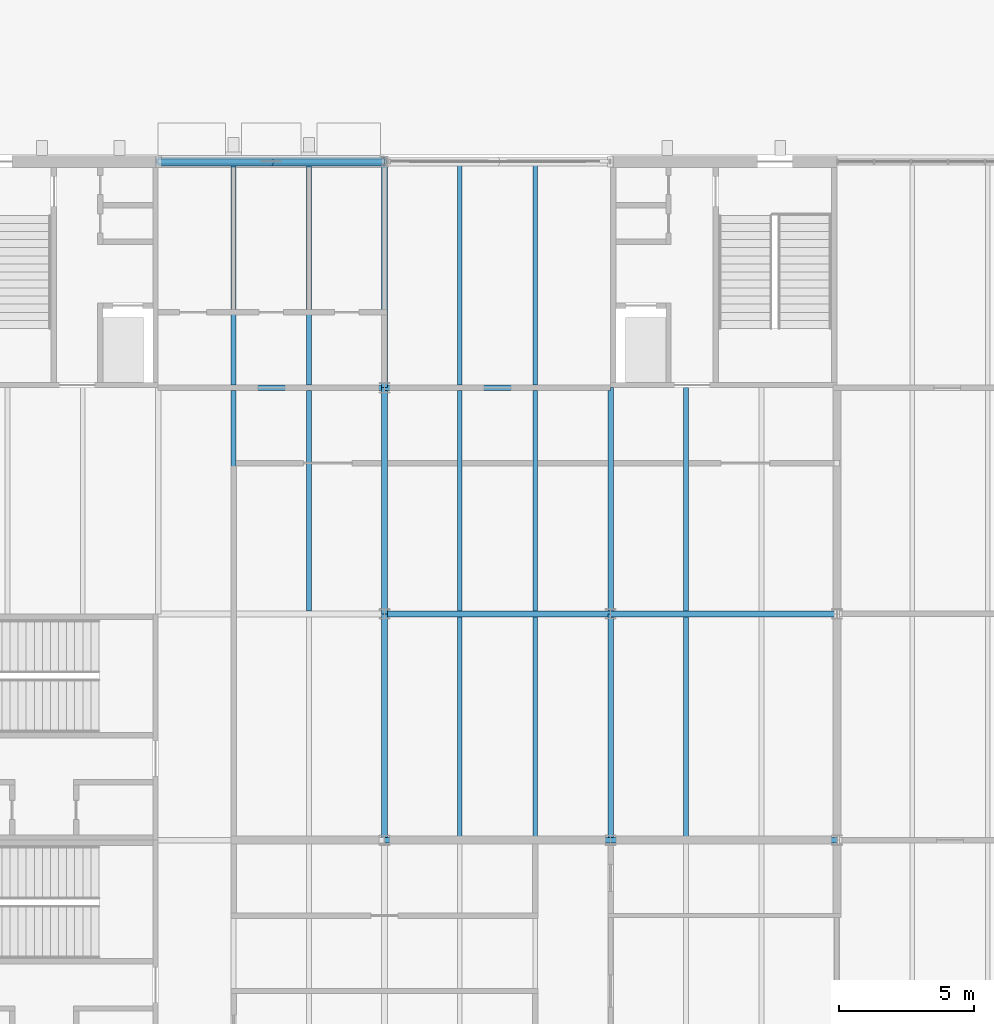
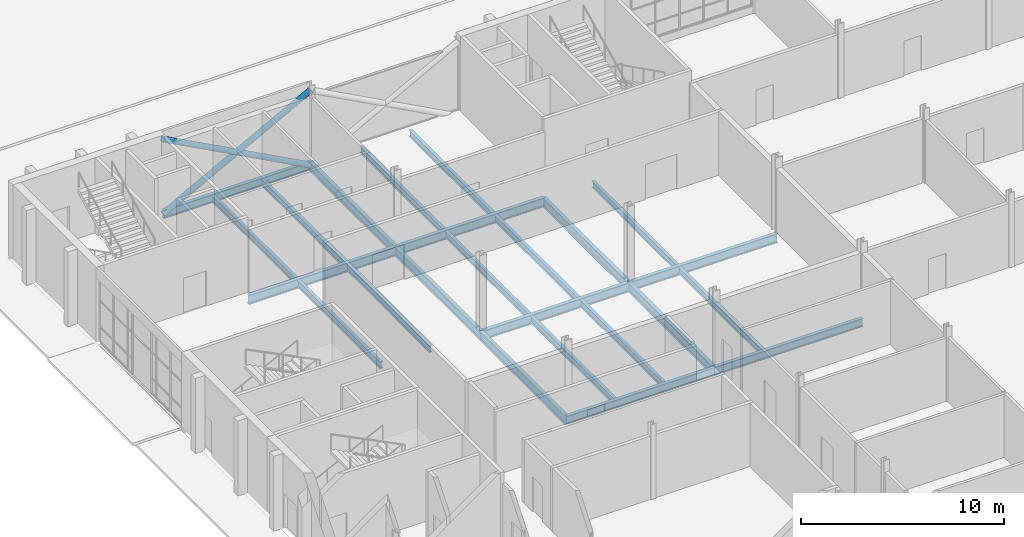
# One storey, part 53 of 116: 24 beams, 3 members.
"""IFC4 building model written with IfcOpenShell, lengths in metres."""

from ifc_helpers import new_model, si_unit, direction, frame, origin, origin_2d, place, context, subcontext, project, spatial, hollow_circle, i_section, extrude, material, material_profile, profile_set, type_object, element, save


model = new_model("IFC4")

# Units and contexts
model_context = context("Model", 3, precision=1e-05, world=origin(), true_north=direction((0.0, 1.0)))
body_context = subcontext(model_context, "Body", "Model", "MODEL_VIEW")
ifc_project = project(units=[si_unit("LENGTHUNIT", "METRE"), si_unit("AREAUNIT", "SQUARE_METRE"), si_unit("VOLUMEUNIT", "CUBIC_METRE"), si_unit("PLANEANGLEUNIT", "RADIAN"), si_unit("MASSUNIT", "GRAM", prefix="KILO")], contexts=[model_context])

# Site, building, storey
site_placement = place(None, origin())
site = spatial("IfcSite", under=ifc_project, at=site_placement, CompositionType="ELEMENT")
building_placement = place(site_placement, origin())
building = spatial("IfcBuilding", under=site, at=building_placement, Name="Ardhachandra Cancer Care Centre", CompositionType="ELEMENT")
storey_placement = place(building_placement, origin())
storey = spatial("IfcBuildingStorey", under=building, at=storey_placement, Name="L00", CompositionType="ELEMENT", Elevation=0.0)

# Beams
ifc_material_1 = material(Name="Steel E350 (IS 2062)", Category="steel")
ifc_material_profile_1 = material_profile(ifc_material_1, i_section(OverallWidth=0.179931640625, OverallDepth=0.39990234375, WebThickness=0.008544921875, FlangeThickness=0.013427734375, FilletRadius=0.02099609375, at=origin_2d()), Name="NPB 400x180x66.30")
ifc_profile_set_1 = profile_set([ifc_material_profile_1], Name="Steel E350 (IS 2062)")
beam_type_1 = type_object("IfcBeamType", Name="Beam NPB 400x180x66.30", PredefinedType="BEAM", material=ifc_profile_set_1)
beam_1_placement = place(storey_placement, frame((22.0, 79.905029296875, -0.35009765625), z_axis=(0.0, 1.0, 0.0), x_axis=(-1.0, 0.0, 0.0)))
element("IfcBeam", 1, at=beam_1_placement, inside=storey, type_object=beam_type_1, Name="Secondary J2-K2@2800", PredefinedType="BEAM", context=body_context, shape_type="SweptSolid", body=[
    extrude(i_section(OverallWidth=0.179931640625, OverallDepth=0.39990234375, WebThickness=0.008544921875, FlangeThickness=0.013427734375, FilletRadius=0.02099609375, at=origin_2d()), origin(), (0.0, 0.0, 1.0), 8.18994140625),
])
beam_2_placement = place(storey_placement, frame((22.0, 88.304931640625, -0.35009765625), z_axis=(0.0, 1.0, 0.0), x_axis=(-1.0, 0.0, 0.0)))
element("IfcBeam", 2, at=beam_2_placement, inside=storey, type_object=beam_type_1, Name="Secondary K2-L2@2800", PredefinedType="BEAM", context=body_context, shape_type="SweptSolid", body=[
    extrude(i_section(OverallWidth=0.179931640625, OverallDepth=0.39990234375, WebThickness=0.008544921875, FlangeThickness=0.013427734375, FilletRadius=0.02099609375, at=origin_2d()), origin(), (0.0, 0.0, 1.0), 8.195068359375),
])
beam_3_placement = place(storey_placement, frame((24.800048828125, 79.905029296875, -0.35009765625), z_axis=(0.0, 1.0, 0.0), x_axis=(-1.0, 0.0, 0.0)))
element("IfcBeam", 3, at=beam_3_placement, inside=storey, type_object=beam_type_1, Name="Secondary J2-K2@5600", PredefinedType="BEAM", context=body_context, shape_type="SweptSolid", body=[
    extrude(i_section(OverallWidth=0.179931640625, OverallDepth=0.39990234375, WebThickness=0.008544921875, FlangeThickness=0.013427734375, FilletRadius=0.02099609375, at=origin_2d()), origin(), (0.0, 0.0, 1.0), 8.18994140625),
])
for number, where, z_axis, x_axis, name in (
    (4, (24.800048828125, 88.304931640625, -0.35009765625), (0.0, 1.0, 0.0), (-1.0, 0.0, 0.0), "Secondary K2-L2@5600"),
    (5, (30.39990234375, 71.5, -0.35009765625), (0.0, 1.0, 0.0), (-1.0, 0.0, 0.0), "Secondary H3-J3@2800"),
):
    element("IfcBeam", number, at=place(storey_placement, frame(where, z_axis=z_axis, x_axis=x_axis)), inside=storey, type_object=beam_type_1, Name=name, PredefinedType="BEAM", context=body_context, shape_type="SweptSolid", body=[
        extrude(i_section(OverallWidth=0.179931640625, OverallDepth=0.39990234375, WebThickness=0.008544921875, FlangeThickness=0.013427734375, FilletRadius=0.02099609375, at=origin_2d()), origin(), (0.0, 0.0, 1.0), 8.195068359375),
    ])
beam_4_placement = place(storey_placement, frame((30.39990234375, 79.905029296875, -0.35009765625), z_axis=(0.0, 1.0, 0.0), x_axis=(-1.0, 0.0, 0.0)))
element("IfcBeam", 6, at=beam_4_placement, inside=storey, type_object=beam_type_1, Name="Secondary J3-K3@2800", PredefinedType="BEAM", context=body_context, shape_type="SweptSolid", body=[
    extrude(i_section(OverallWidth=0.179931640625, OverallDepth=0.39990234375, WebThickness=0.008544921875, FlangeThickness=0.013427734375, FilletRadius=0.02099609375, at=origin_2d()), origin(), (0.0, 0.0, 1.0), 8.18994140625),
])
for number, where, z_axis, x_axis, name in (
    (7, (30.39990234375, 88.304931640625, -0.35009765625), (0.0, 1.0, 0.0), (-1.0, 0.0, 0.0), "Secondary K3-L3@2800"),
    (8, (33.199951171875, 71.5, -0.35009765625), (0.0, 1.0, 0.0), (-1.0, 0.0, 0.0), "Secondary H3-J3@5600"),
):
    element("IfcBeam", number, at=place(storey_placement, frame(where, z_axis=z_axis, x_axis=x_axis)), inside=storey, type_object=beam_type_1, Name=name, PredefinedType="BEAM", context=body_context, shape_type="SweptSolid", body=[
        extrude(i_section(OverallWidth=0.179931640625, OverallDepth=0.39990234375, WebThickness=0.008544921875, FlangeThickness=0.013427734375, FilletRadius=0.02099609375, at=origin_2d()), origin(), (0.0, 0.0, 1.0), 8.195068359375),
    ])
beam_5_placement = place(storey_placement, frame((33.199951171875, 79.905029296875, -0.35009765625), z_axis=(0.0, 1.0, 0.0), x_axis=(-1.0, 0.0, 0.0)))
element("IfcBeam", 9, at=beam_5_placement, inside=storey, type_object=beam_type_1, Name="Secondary J3-K3@5600", PredefinedType="BEAM", context=body_context, shape_type="SweptSolid", body=[
    extrude(i_section(OverallWidth=0.179931640625, OverallDepth=0.39990234375, WebThickness=0.008544921875, FlangeThickness=0.013427734375, FilletRadius=0.02099609375, at=origin_2d()), origin(), (0.0, 0.0, 1.0), 8.18994140625),
])
for number, where, z_axis, x_axis, name in (
    (10, (33.199951171875, 88.304931640625, -0.35009765625), (0.0, 1.0, 0.0), (-1.0, 0.0, 0.0), "Secondary K3-L3@5600"),
    (11, (38.800048828125, 71.5, -0.35009765625), (0.0, 1.0, 0.0), (-1.0, 0.0, 0.0), "Secondary H4-J4@2800"),
):
    element("IfcBeam", number, at=place(storey_placement, frame(where, z_axis=z_axis, x_axis=x_axis)), inside=storey, type_object=beam_type_1, Name=name, PredefinedType="BEAM", context=body_context, shape_type="SweptSolid", body=[
        extrude(i_section(OverallWidth=0.179931640625, OverallDepth=0.39990234375, WebThickness=0.008544921875, FlangeThickness=0.013427734375, FilletRadius=0.02099609375, at=origin_2d()), origin(), (0.0, 0.0, 1.0), 8.195068359375),
    ])
beam_6_placement = place(storey_placement, frame((38.800048828125, 79.905029296875, -0.35009765625), z_axis=(0.0, 1.0, 0.0), x_axis=(-1.0, 0.0, 0.0)))
element("IfcBeam", 12, at=beam_6_placement, inside=storey, type_object=beam_type_1, Name="Secondary J4-K4@2800", PredefinedType="BEAM", context=body_context, shape_type="SweptSolid", body=[
    extrude(i_section(OverallWidth=0.179931640625, OverallDepth=0.39990234375, WebThickness=0.008544921875, FlangeThickness=0.013427734375, FilletRadius=0.02099609375, at=origin_2d()), origin(), (0.0, 0.0, 1.0), 8.294921875),
])
ifc_material_2 = material(Name="Steel E350 (IS 2062)", Category="steel")
ifc_material_profile_2 = material_profile(ifc_material_2, i_section(OverallWidth=0.199951171875, OverallDepth=0.5, WebThickness=0.01025390625, FlangeThickness=0.01611328125, FilletRadius=0.02099609375, at=origin_2d()), Name="NPB 500x200x90.68")
ifc_profile_set_2 = profile_set([ifc_material_profile_2], Name="Steel E350 (IS 2062)")
beam_type_2 = type_object("IfcBeamType", Name="Beam NPB 500x200x90.68", PredefinedType="BEAM", material=ifc_profile_set_2)
for number, where, z_axis, x_axis, name in (
    (13, (27.60009765625, 71.39990234375, -0.39990234375), (1.0, 0.0, 0.0), (0.0, 1.0, 0.0), "Edge girder H3-H4"),
    (14, (36.0, 71.39990234375, -0.39990234375), (1.0, 0.0, 0.0), (0.0, 1.0, 0.0), "Edge girder H4-H5"),
):
    element("IfcBeam", number, at=place(storey_placement, frame(where, z_axis=z_axis, x_axis=x_axis)), inside=storey, type_object=beam_type_2, Name=name, PredefinedType="BEAM", context=body_context, shape_type="SweptSolid", body=[
        extrude(i_section(OverallWidth=0.199951171875, OverallDepth=0.5, WebThickness=0.01025390625, FlangeThickness=0.01611328125, FilletRadius=0.02099609375, at=origin_2d()), origin(), (0.0, 0.0, 1.0), 8.39990234375),
    ])
beam_7_placement = place(storey_placement, frame((19.199951171875, 96.60009765625, -0.39990234375), z_axis=(1.0, 0.0, 0.0), x_axis=(0.0, 1.0, 0.0)))
element("IfcBeam", 15, at=beam_7_placement, inside=storey, type_object=beam_type_2, Name="Edge girder L2-L3", PredefinedType="BEAM", context=body_context, shape_type="SweptSolid", body=[
    extrude(i_section(OverallWidth=0.199951171875, OverallDepth=0.5, WebThickness=0.01025390625, FlangeThickness=0.01611328125, FilletRadius=0.02099609375, at=origin_2d()), origin(), (0.0, 0.0, 1.0), 8.400146484375),
])
ifc_material_3 = material(Name="Steel E350 (IS 2062)", Category="steel")
ifc_material_profile_3 = material_profile(ifc_material_3, i_section(OverallWidth=0.2099609375, OverallDepth=0.550048828125, WebThickness=0.010986328125, FlangeThickness=0.01708984375, FilletRadius=0.02392578125, at=origin_2d()), Name="NPB 550x210x105.52")
ifc_profile_set_3 = profile_set([ifc_material_profile_3], Name="Steel E350 (IS 2062)")
beam_type_3 = type_object("IfcBeamType", Name="Beam NPB 550x210x105.52", PredefinedType="BEAM", material=ifc_profile_set_3)
for number, where, z_axis, x_axis, name in (
    (16, (27.60009765625, 79.800048828125, -0.425048828125), (1.0, 0.0, 0.0), (0.0, 1.0, 0.0), "Girder J3-J4"),
    (17, (36.0, 79.800048828125, -0.425048828125), (1.0, 0.0, 0.0), (0.0, 1.0, 0.0), "Girder J4-J5"),
):
    element("IfcBeam", number, at=place(storey_placement, frame(where, z_axis=z_axis, x_axis=x_axis)), inside=storey, type_object=beam_type_3, Name=name, PredefinedType="BEAM", context=body_context, shape_type="SweptSolid", body=[
        extrude(i_section(OverallWidth=0.2099609375, OverallDepth=0.550048828125, WebThickness=0.010986328125, FlangeThickness=0.01708984375, FilletRadius=0.02392578125, at=origin_2d()), origin(), (0.0, 0.0, 1.0), 8.39990234375),
    ])
beam_8_placement = place(storey_placement, frame((19.199951171875, 88.199951171875, -0.425048828125), z_axis=(1.0, 0.0, 0.0), x_axis=(0.0, 1.0, 0.0)))
element("IfcBeam", 18, at=beam_8_placement, inside=storey, type_object=beam_type_3, Name="Girder K2-K3", PredefinedType="BEAM", context=body_context, shape_type="SweptSolid", body=[
    extrude(i_section(OverallWidth=0.2099609375, OverallDepth=0.550048828125, WebThickness=0.010986328125, FlangeThickness=0.01708984375, FilletRadius=0.02392578125, at=origin_2d()), origin(), (0.0, 0.0, 1.0), 8.400146484375),
])
beam_9_placement = place(storey_placement, frame((27.60009765625, 88.199951171875, -0.425048828125), z_axis=(1.0, 0.0, 0.0), x_axis=(0.0, 1.0, 0.0)))
element("IfcBeam", 19, at=beam_9_placement, inside=storey, type_object=beam_type_3, Name="Girder K3-K4", PredefinedType="BEAM", context=body_context, shape_type="SweptSolid", body=[
    extrude(i_section(OverallWidth=0.2099609375, OverallDepth=0.550048828125, WebThickness=0.010986328125, FlangeThickness=0.01708984375, FilletRadius=0.02392578125, at=origin_2d()), origin(), (0.0, 0.0, 1.0), 8.39990234375),
])
beam_10_placement = place(storey_placement, frame((27.60009765625, 71.39990234375, -0.425048828125), z_axis=(0.0, 1.0, 0.0), x_axis=(-1.0, 0.0, 0.0)))
element("IfcBeam", 20, at=beam_10_placement, inside=storey, type_object=beam_type_3, Name="Girder H3-J3", PredefinedType="BEAM", context=body_context, shape_type="SweptSolid", body=[
    extrude(i_section(OverallWidth=0.2099609375, OverallDepth=0.550048828125, WebThickness=0.010986328125, FlangeThickness=0.01708984375, FilletRadius=0.02392578125, at=origin_2d()), origin(), (0.0, 0.0, 1.0), 8.400146484375),
])
beam_11_placement = place(storey_placement, frame((27.60009765625, 79.800048828125, -0.425048828125), z_axis=(0.0, 1.0, 0.0), x_axis=(-1.0, 0.0, 0.0)))
element("IfcBeam", 21, at=beam_11_placement, inside=storey, type_object=beam_type_3, Name="Girder J3-K3", PredefinedType="BEAM", context=body_context, shape_type="SweptSolid", body=[
    extrude(i_section(OverallWidth=0.2099609375, OverallDepth=0.550048828125, WebThickness=0.010986328125, FlangeThickness=0.01708984375, FilletRadius=0.02392578125, at=origin_2d()), origin(), (0.0, 0.0, 1.0), 8.39990234375),
])
for number, where, z_axis, x_axis, name in (
    (22, (27.60009765625, 88.199951171875, -0.425048828125), (0.0, 1.0, 0.0), (-1.0, 0.0, 0.0), "Girder K3-L3"),
    (23, (36.0, 71.39990234375, -0.425048828125), (0.0, 1.0, 0.0), (-1.0, 0.0, 0.0), "Girder H4-J4"),
):
    element("IfcBeam", number, at=place(storey_placement, frame(where, z_axis=z_axis, x_axis=x_axis)), inside=storey, type_object=beam_type_3, Name=name, PredefinedType="BEAM", context=body_context, shape_type="SweptSolid", body=[
        extrude(i_section(OverallWidth=0.2099609375, OverallDepth=0.550048828125, WebThickness=0.010986328125, FlangeThickness=0.01708984375, FilletRadius=0.02392578125, at=origin_2d()), origin(), (0.0, 0.0, 1.0), 8.400146484375),
    ])
beam_12_placement = place(storey_placement, frame((36.0, 79.800048828125, -0.425048828125), z_axis=(0.0, 1.0, 0.0), x_axis=(-1.0, 0.0, 0.0)))
element("IfcBeam", 24, at=beam_12_placement, inside=storey, type_object=beam_type_3, Name="Girder J4-K4", PredefinedType="BEAM", context=body_context, shape_type="SweptSolid", body=[
    extrude(i_section(OverallWidth=0.2099609375, OverallDepth=0.550048828125, WebThickness=0.010986328125, FlangeThickness=0.01708984375, FilletRadius=0.02392578125, at=origin_2d()), origin(), (0.0, 0.0, 1.0), 8.39990234375),
])

# Members
ifc_material_4 = material(Name="Steel E350 (IS 2062)", Category="steel")
ifc_material_profile_4 = material_profile(ifc_material_4, hollow_circle(Radius=0.161865234375, WallThickness=0.012451171875, at=origin_2d()), Name="CHS 323.9x12.5")
ifc_profile_set_4 = profile_set([ifc_material_profile_4], Name="Steel E350 (IS 2062)")
member_type = type_object("IfcMemberType", Name="Brace CHS 323.9x12.5", PredefinedType="BRACE", material=ifc_profile_set_4)
member_1_placement = place(storey_placement, frame((19.199951171875, 96.60009765625, -0.39990234375), z_axis=(0.881483397762, 0.0, 0.472215014025), x_axis=(0.0, 1.0, 0.0)))
element("IfcMember", 25, at=member_1_placement, inside=storey, type_object=member_type, Name="Brace V6-X966-192 L00 A", PredefinedType="BRACE", context=body_context, shape_type="SweptSolid", body=[
    extrude(hollow_circle(Radius=0.161865234375, WallThickness=0.012451171875, at=origin_2d()), origin(), (0.0, 0.0, 1.0), 9.529541015625),
])
member_2_placement = place(storey_placement, frame((27.60009765625, 96.60009765625, -0.39990234375), z_axis=(-0.881489110341, 0.0, 0.472204350203), x_axis=(0.0, -1.0, 0.0)))
element("IfcMember", 26, at=member_2_placement, inside=storey, type_object=member_type, Name="Brace V6-X966-192 L00 B1", PredefinedType="BRACE", context=body_context, shape_type="SweptSolid", body=[
    extrude(hollow_circle(Radius=0.161865234375, WallThickness=0.012451171875, at=origin_2d()), origin(), (0.0, 0.0, 1.0), 4.764892578125),
])
member_3_placement = place(storey_placement, frame((23.39990234375, 96.60009765625, 1.85009765625), z_axis=(-0.881477684796, 0.0, 0.472225678258), x_axis=(0.0, -1.0, 0.0)))
element("IfcMember", 27, at=member_3_placement, inside=storey, type_object=member_type, Name="Brace V6-X966-192 L00 B2", PredefinedType="BRACE", context=body_context, shape_type="SweptSolid", body=[
    extrude(hollow_circle(Radius=0.161865234375, WallThickness=0.012451171875, at=origin_2d()), origin(), (0.0, 0.0, 1.0), 4.7646484375),
])

save(model, "model.ifc")
